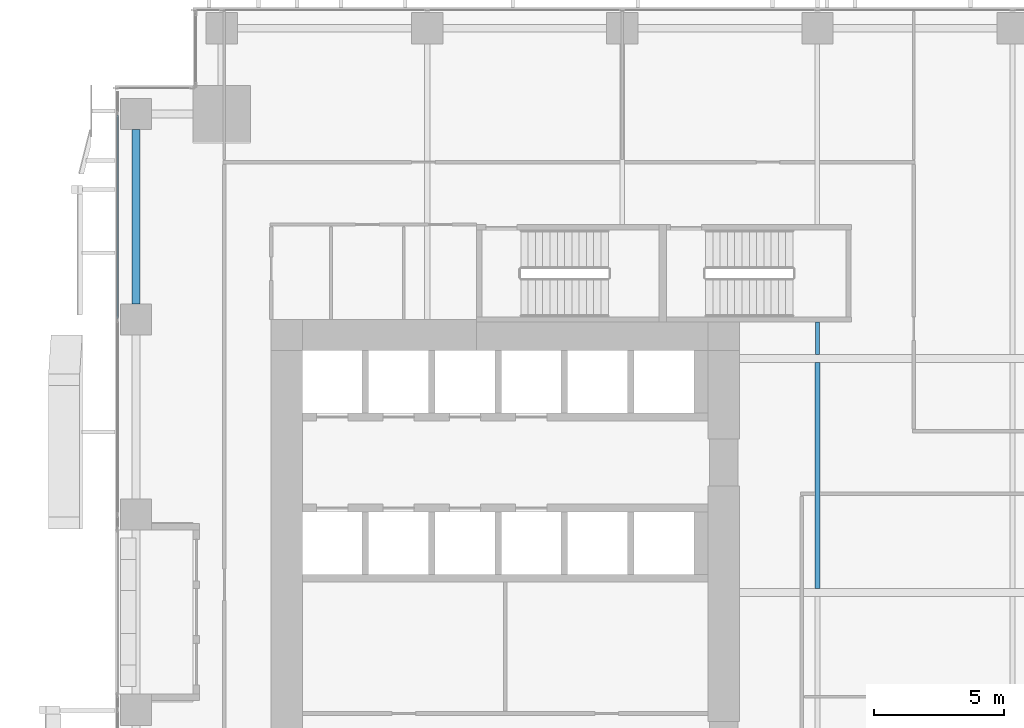
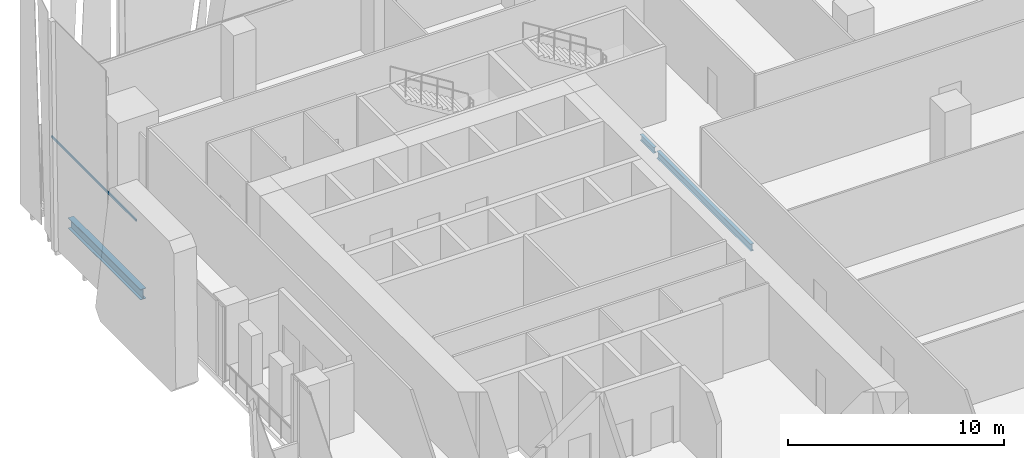
# One storey, part 15 of 37: 3 beams, 1 member, 1 element without a shape of its own.
"""IFC4 building model written with IfcOpenShell, lengths in metres."""

from ifc_helpers import new_model, si_unit, direction, frame, origin, origin_2d, place, context, subcontext, project, spatial, hollow_rectangle, i_section, extrude, source, transform, mapped, material, material_profile, profile_set, type_object, element, aggregate, save


model = new_model("IFC4")

# Units and contexts
model_context = context("Model", 3, precision=1e-05, world=origin(), true_north=direction((0.0, 1.0)))
body_context = subcontext(model_context, "Body", "Model", "MODEL_VIEW")
ifc_project = project(units=[si_unit("LENGTHUNIT", "METRE"), si_unit("AREAUNIT", "SQUARE_METRE"), si_unit("VOLUMEUNIT", "CUBIC_METRE"), si_unit("PLANEANGLEUNIT", "RADIAN"), si_unit("MASSUNIT", "GRAM", prefix="KILO")], contexts=[model_context])

# Site, building, storey
site_placement = place(None, origin())
site = spatial("IfcSite", under=ifc_project, at=site_placement, CompositionType="ELEMENT")
building_placement = place(site_placement, origin())
building = spatial("IfcBuilding", under=site, at=building_placement, Name="Khomas Fold Tower", CompositionType="ELEMENT")
storey_placement = place(building_placement, frame((0.0, 0.0, 60.0)))
storey = spatial("IfcBuildingStorey", under=building, at=storey_placement, Name="L12", CompositionType="ELEMENT", Elevation=60.0)

# Beams
ifc_material_1 = material(Name="Steel S355", Category="steel")
ifc_material_profile_1 = material_profile(ifc_material_1, i_section(OverallWidth=0.179931640625, OverallDepth=0.39990234375, WebThickness=0.008544921875, FlangeThickness=0.013427734375, at=origin_2d()), Name="IPE 400")
ifc_profile_set_1 = profile_set([ifc_material_profile_1], Name="Steel S355")
beam_type_1 = type_object("IfcBeamType", Name="IPE 400 beam JB3", PredefinedType="BEAM", material=ifc_profile_set_1)
shared_shape_1 = source(origin(), body_context, "Body", "SweptSolid", [
    extrude(i_section(OverallWidth=0.179931640625, OverallDepth=0.39990234375, WebThickness=0.008544921875, FlangeThickness=0.013427734375, at=origin_2d()), origin(), (0.0, 0.0, 1.0), 8.7001953125),
])
beam_1_placement = place(storey_placement, frame((27.0, 31.64990234375, -0.5), z_axis=(0.0, 1.0, 0.0), x_axis=(-1.0, 0.0, 0.0)))
element("IfcBeam", 1, at=beam_1_placement, inside=storey, type_object=beam_type_1, Name="JB3", PredefinedType="BEAM", context=body_context, shape_type="MappedRepresentation", body=[
    mapped(shared_shape_1, transform((0.0, 0.0, 0.0))),
])
ifc_material_2 = material(Name="Steel S355", Category="steel")
ifc_material_profile_2 = material_profile(ifc_material_2, i_section(OverallWidth=0.300048828125, OverallDepth=0.60009765625, WebThickness=0.015380859375, FlangeThickness=0.030029296875, at=origin_2d()), Name="HE 600 B")
ifc_profile_set_2 = profile_set([ifc_material_profile_2], Name="Steel S355")
beam_type_2 = type_object("IfcBeamType", Name="HE 600 B spandrel SB1", PredefinedType="SPANDREL", material=ifc_profile_set_2)
shared_shape_2 = source(origin(), body_context, "Body", "SweptSolid", [
    extrude(i_section(OverallWidth=0.300048828125, OverallDepth=0.60009765625, WebThickness=0.015380859375, FlangeThickness=0.030029296875, at=origin_2d()), origin(), (0.0, 0.0, 1.0), 6.699951171875),
])
beam_2_placement = place(storey_placement, frame((0.800048828125, 42.60009765625, -0.60009765625), z_axis=(0.0, 1.0, 0.0), x_axis=(-1.0, 0.0, 0.0)))
element("IfcBeam", 2, at=beam_2_placement, inside=storey, type_object=beam_type_2, Name="SB1", PredefinedType="SPANDREL", context=body_context, shape_type="MappedRepresentation", body=[
    mapped(shared_shape_2, transform((0.0, 0.0, 0.0))),
])
ifc_material_3 = material(Name="Steel S355", Category="steel")
ifc_material_profile_3 = material_profile(ifc_material_3, i_section(OverallWidth=0.159912109375, OverallDepth=0.330078125, WebThickness=0.007568359375, FlangeThickness=0.011474609375, at=origin_2d()), Name="IPE 330")
ifc_profile_set_3 = profile_set([ifc_material_profile_3], Name="Steel S355")
beam_type_3 = type_object("IfcBeamType", Name="IPE 330 beam JB1", PredefinedType="BEAM", material=ifc_profile_set_3)
shared_shape_3 = source(origin(), body_context, "Body", "SweptSolid", [
    extrude(i_section(OverallWidth=0.159912109375, OverallDepth=0.330078125, WebThickness=0.007568359375, FlangeThickness=0.011474609375, at=origin_2d()), origin(), (0.0, 0.0, 1.0), 1.25),
])
beam_3_placement = place(storey_placement, frame((27.0, 40.64990234375, -0.465087890625), z_axis=(0.0, 1.0, 0.0), x_axis=(-1.0, 0.0, 0.0)))
element("IfcBeam", 3, at=beam_3_placement, inside=storey, type_object=beam_type_3, Name="JB1", PredefinedType="BEAM", context=body_context, shape_type="MappedRepresentation", body=[
    mapped(shared_shape_3, transform((0.0, 0.0, 0.0))),
])

# Curtain wall, member
ifc_material_4 = material(Name="Aluminium framed double glazing", Category="aluminium")
curtain_wall_type = type_object("IfcCurtainWallType", Name="SK-Unitised clear-glass wall, growing floors CW1", PredefinedType="NOTDEFINED", material=ifc_material_4)
curtain_wall_placement = place(storey_placement, origin())
curtain_wall = element("IfcCurtainWall", 4, at=curtain_wall_placement, inside=storey, type_object=curtain_wall_type, Name="CW1 run L12 09-0", PredefinedType="NOTDEFINED")
ifc_material_5 = material(Name="Aluminium", Category="aluminium")
ifc_material_profile_4 = material_profile(ifc_material_5, hollow_rectangle(XDim=0.06005859375, YDim=0.1201171875, WallThickness=0.00390625, at=origin_2d()), Name="SK-Unitised clear-glass wall, growing floors transom CW1-T")
ifc_profile_set_4 = profile_set([ifc_material_profile_4], Name="Aluminium")
member_type = type_object("IfcMemberType", Name="SK-Unitised clear-glass wall, growing floors transom CW1-T", PredefinedType="USERDEFINED", material=ifc_profile_set_4)
shared_shape_4 = source(origin(), body_context, "Body", "SweptSolid", [
    extrude(hollow_rectangle(XDim=0.06005859375, YDim=0.1201171875, WallThickness=0.00390625, at=origin_2d()), origin(), (0.0, 0.0, 1.0), 7.840087890625),
])
member_placement = place(storey_placement, frame((0.10009765625, 49.8701171875, 4.139892578125), z_axis=(0.0, -1.0, 0.0), x_axis=(1.0, 0.0, 0.0)))
member = element("IfcMember", 5, at=member_placement, type_object=member_type, Name="CW1 transom 2", ObjectType="TRANSOM", PredefinedType="USERDEFINED", context=body_context, shape_type="MappedRepresentation", body=[
    mapped(shared_shape_4, transform((0.0, 0.0, 0.0))),
])
aggregate(curtain_wall, [member])

save(model, "model.ifc")
